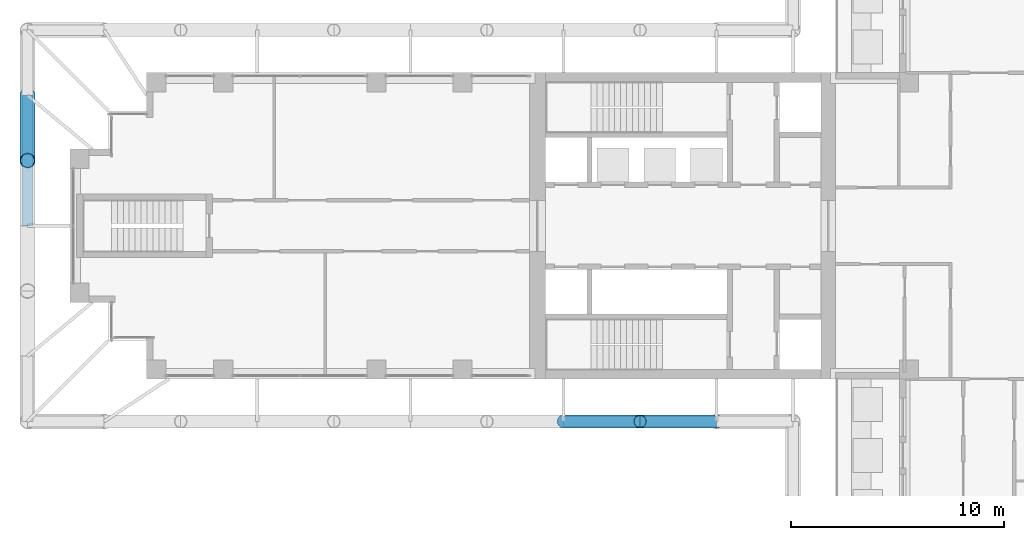
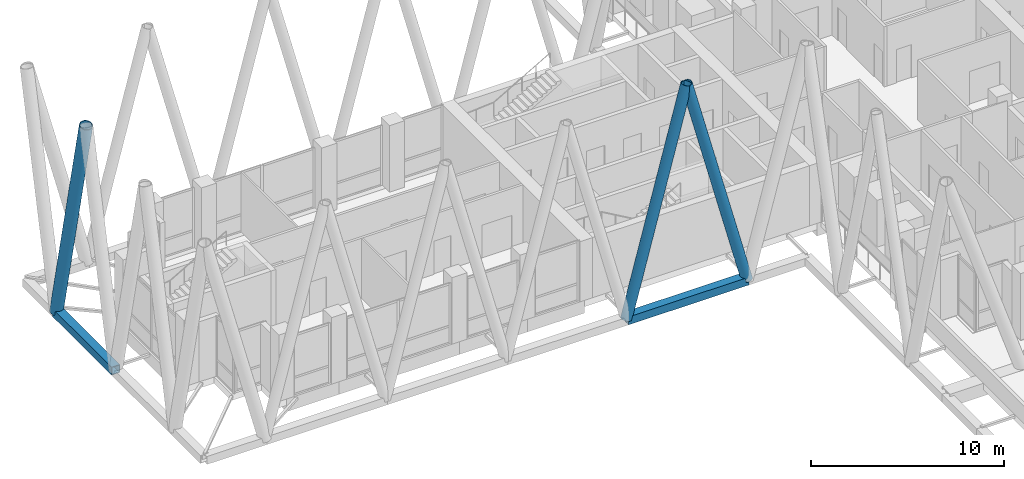
# One storey, part 4 of 22: 5 members.
"""IFC4 building model written with IfcOpenShell, lengths in metres."""

import ifcopenshell
import ifcopenshell.guid

model = None  # the IFC model being written
_history = None  # IfcOwnerHistory: only IFC2X3 demands one
_inside = {}  # id of a spatial element -> (the spatial element, [elements in it])
_under = {}  # id of a project, library or spatial element -> (it, [spatial elements below it])
_declared = {}  # id of a project -> (the project, [libraries it declares])
_typed = {}  # id of a type object -> (the type object, [elements of that type])
_made_of = {}  # id of a material, layer set ... -> (it, [elements and type objects made of it])


def new_model(schema):
    """Start an empty IFC model of exactly this schema.

    Asked for "IFC4X3", IfcOpenShell would pick the latest addendum, in which some entities
    have other attributes; the version numbers below select the first issue.
    IFC2X3 requires an IfcOwnerHistory on every rooted entity: one is made here for all.
    """
    global model, _history
    if schema == "IFC4X3":
        model = ifcopenshell.file(schema_version=(4, 3, 0, 0))
    else:
        model = ifcopenshell.file(schema=schema)
    _inside.clear()
    _under.clear()
    _declared.clear()
    _typed.clear()
    _made_of.clear()
    _history = None
    if model.schema == "IFC2X3":
        org = make("IfcOrganization", Name="unknown")
        user = make(
            "IfcPersonAndOrganization",
            ThePerson=make("IfcPerson", FamilyName="unknown"),
            TheOrganization=org,
        )
        app = make(
            "IfcApplication",
            ApplicationDeveloper=org,
            Version="unknown",
            ApplicationFullName="unknown",
            ApplicationIdentifier="unknown",
        )
        _history = make(
            "IfcOwnerHistory",
            OwningUser=user,
            OwningApplication=app,
            ChangeAction="ADDED",
            CreationDate=0,
        )
    return model


def make(cls, **values):
    """One entity of the class cls with the attributes given. An attribute that is None is left unset."""
    return model.create_entity(
        cls, **{name: value for name, value in values.items() if value is not None}
    )


def rooted(cls, **values):
    """An entity with a GlobalId (a new one), such as an element, a storey or a relation."""
    return make(cls, GlobalId=ifcopenshell.guid.new(), OwnerHistory=_history, **values)


def si_unit(unit_type, name, prefix=None):
    """IfcSIUnit, for example si_unit("LENGTHUNIT", "METRE", prefix="MILLI")."""
    return make("IfcSIUnit", UnitType=unit_type, Prefix=prefix, Name=name)


def assignment(units):
    """IfcUnitAssignment: the units of a project."""
    return None if units is None else make("IfcUnitAssignment", Units=units)


def point(xyz):
    """IfcCartesianPoint."""
    return None if xyz is None else make("IfcCartesianPoint", Coordinates=xyz)


def direction(xyz):
    """IfcDirection."""
    return None if xyz is None else make("IfcDirection", DirectionRatios=xyz)


def frame(location, z_axis=None, x_axis=None):
    """IfcAxis2Placement3D, a coordinate frame: its origin and axes. An axis left out is left unset."""
    return make(
        "IfcAxis2Placement3D",
        Location=point(location),
        Axis=direction(z_axis),
        RefDirection=direction(x_axis),
    )


def frame_2d(location, x_axis=None):
    """IfcAxis2Placement2D, a coordinate frame in the plane: its origin and x axis."""
    return make(
        "IfcAxis2Placement2D", Location=point(location), RefDirection=direction(x_axis)
    )


def origin():
    """The frame at (0, 0, 0) with its axes left unset."""
    return frame((0.0, 0.0, 0.0))


def origin_2d():
    """The frame at (0, 0) in the plane with its x axis left unset."""
    return frame_2d((0.0, 0.0))


def place(relative_to, where):
    """IfcLocalPlacement: puts the frame where relative to a parent placement (None: the world)."""
    return make(
        "IfcLocalPlacement", PlacementRelTo=relative_to, RelativePlacement=where
    )


def context(
    kind, dimensions, precision=None, world=None, true_north=None, identifier=None
):
    """IfcGeometricRepresentationContext, for example the 3D "Model" context."""
    return make(
        "IfcGeometricRepresentationContext",
        ContextIdentifier=identifier,
        ContextType=kind,
        CoordinateSpaceDimension=dimensions,
        Precision=precision,
        WorldCoordinateSystem=world,
        TrueNorth=true_north,
    )


def subcontext(parent, identifier, kind, view, scale=None):
    """IfcGeometricRepresentationSubContext, for example "Body" below "Model"."""
    return make(
        "IfcGeometricRepresentationSubContext",
        ContextIdentifier=identifier,
        ContextType=kind,
        ParentContext=parent,
        TargetScale=scale,
        TargetView=view,
    )


def project(units=None, contexts=None):
    """IfcProject with its units and contexts."""
    return rooted(
        "IfcProject",
        Name="project",
        RepresentationContexts=contexts,
        UnitsInContext=assignment(units),
    )


def spatial(cls, under=None, at=None, **own):
    """A site, building, storey or space (cls), placed at a placement, below another one or the project."""
    s = rooted(cls, ObjectPlacement=at, **own)
    if under is not None:
        _under.setdefault(under.id(), (under, []))[1].append(s)
    return s


def profile(cls, at=None, kind="AREA", **sizes):
    """A parametric profile (cls). Its sizes go by their IFC names, for example OverallWidth=200.0."""
    return make(cls, ProfileType=kind, Position=at, **sizes)


def hollow_rectangle(**sizes):
    """IfcRectangleHollowProfileDef."""
    return profile("IfcRectangleHollowProfileDef", **sizes)


def hollow_circle(**sizes):
    """IfcCircleHollowProfileDef."""
    return profile("IfcCircleHollowProfileDef", **sizes)


def extrude(swept, where, along, depth):
    """IfcExtrudedAreaSolid: the profile swept, set in the frame where, extruded along a direction by depth."""
    return make(
        "IfcExtrudedAreaSolid",
        SweptArea=swept,
        Position=where,
        ExtrudedDirection=direction(along),
        Depth=depth,
    )


def shape(context_of_items, identifier, shape_type, items):
    """IfcShapeRepresentation: the items that make up one representation, for example the "Body"."""
    return make(
        "IfcShapeRepresentation",
        ContextOfItems=context_of_items,
        RepresentationIdentifier=identifier,
        RepresentationType=shape_type,
        Items=items,
    )


def material(Name=None, Category=None):
    """IfcMaterial."""
    return make("IfcMaterial", Name=Name, Category=Category)


def material_profile(
    of_material, cross_section, Name=None, Category=None, Priority=None
):
    """IfcMaterialProfile: a cross section and its material."""
    return make(
        "IfcMaterialProfile",
        Name=Name,
        Material=of_material,
        Profile=cross_section,
        Priority=Priority,
        Category=Category,
    )


def profile_set(profiles, Name=None, composite=None):
    """IfcMaterialProfileSet."""
    return make(
        "IfcMaterialProfileSet",
        Name=Name,
        MaterialProfiles=profiles,
        CompositeProfile=composite,
    )


def made_of(thing, what):
    """Note that an element or type object is made of a material, layer set ...; save() writes the relation."""
    if what is not None:
        _made_of.setdefault(what.id(), (what, []))[1].append(thing)
    return thing


def type_object(cls, material=None, **own):
    """A type object (cls), such as IfcWallType, which elements share."""
    return made_of(rooted(cls, **own), material)


def element(
    cls,
    number,
    at=None,
    inside=None,
    cuts=None,
    type_object=None,
    material=None,
    context=None,
    identifier="Body",
    shape_type=None,
    held_by="IfcProductDefinitionShape",
    body=None,
    shapes=None,
    **own,
):
    """One element of the class cls, such as IfcWall. Its Tag is "e" and its number.

    at: its placement. inside: the storey or other place that contains it. cuts: it is an
    opening in that element (IfcRelVoidsElement). A single representation is given by context,
    identifier, shape_type and body (its items); several are given by shapes. held_by: the class
    of the entity that holds the representations. save() writes the other relations.
    """
    e = rooted(cls, Tag="e%d" % number, ObjectPlacement=at, **own)
    if body is not None:
        shapes = [shape(context, identifier, shape_type, body)]
    if shapes is not None:
        e.Representation = make(held_by, Representations=shapes)
    if inside is not None:
        _inside.setdefault(inside.id(), (inside, []))[1].append(e)
    if cuts is not None:
        rooted(
            "IfcRelVoidsElement", RelatingBuildingElement=cuts, RelatedOpeningElement=e
        )
    if type_object is not None:
        _typed.setdefault(type_object.id(), (type_object, []))[1].append(e)
    return made_of(e, material)


def aggregate(whole, parts):
    """IfcRelAggregates: a whole, such as a stair, and the parts it consists of."""
    return rooted("IfcRelAggregates", RelatingObject=whole, RelatedObjects=parts)


def save(model, path):
    """Write the relations noted so far, then the file.

    IfcRelAggregates (storeys below a building ...), IfcRelContainedInSpatialStructure (elements
    in a storey), IfcRelDefinesByType, IfcRelAssociatesMaterial and IfcRelDeclares: one each for
    every whole, place, type object, material and project.
    """
    for whole, parts in _under.values():
        aggregate(whole, parts)
    for where, things in _inside.values():
        rooted(
            "IfcRelContainedInSpatialStructure",
            RelatedElements=things,
            RelatingStructure=where,
        )
    for kind, things in _typed.values():
        rooted("IfcRelDefinesByType", RelatedObjects=things, RelatingType=kind)
    for what, things in _made_of.values():
        rooted("IfcRelAssociatesMaterial", RelatedObjects=things, RelatingMaterial=what)
    for by, libraries in _declared.values():
        rooted("IfcRelDeclares", RelatingContext=by, RelatedDefinitions=libraries)
    model.write(path)


model = new_model("IFC4")

# Units and contexts
model_context = context("Model", 3, precision=1e-05, world=origin(), true_north=direction((0.0, 1.0)))
body_context = subcontext(model_context, "Body", "Model", "MODEL_VIEW")
ifc_project = project(units=[si_unit("LENGTHUNIT", "METRE"), si_unit("AREAUNIT", "SQUARE_METRE"), si_unit("VOLUMEUNIT", "CUBIC_METRE"), si_unit("PLANEANGLEUNIT", "RADIAN"), si_unit("MASSUNIT", "GRAM", prefix="KILO")], contexts=[model_context])

# Site, building, storey
site_placement = place(None, origin())
site = spatial("IfcSite", under=ifc_project, at=site_placement, CompositionType="ELEMENT")
building_placement = place(site_placement, origin())
building = spatial("IfcBuilding", under=site, at=building_placement, Name="Fustian Cross Tower", CompositionType="ELEMENT")
storey_placement = place(building_placement, frame((0.0, 0.0, 116.10009765625)))
storey = spatial("IfcBuildingStorey", under=building, at=storey_placement, Name="L36", CompositionType="ELEMENT", Elevation=116.10009765625)

# Members
ifc_material_1 = material(Name="Steel S355", Category="steel")
ifc_material_profile_1 = material_profile(ifc_material_1, hollow_circle(Radius=0.3046875, WallThickness=0.02490234375, at=origin_2d()), Name="CHS 610x25")
ifc_profile_set_1 = profile_set([ifc_material_profile_1], Name="Steel S355")
member_type_1 = type_object("IfcMemberType", Name="DIAGRID DIAGONAL CHS 610x25", PredefinedType="BRACE", material=ifc_profile_set_1)
member_1_placement = place(storey_placement, frame((-20.0, -9.199951171875, -0.400146484375), z_axis=(0.255897330119, 0.0, 0.966703965254), x_axis=(0.0, 1.0, 0.0)))
element("IfcMember", 1, at=member_1_placement, inside=storey, type_object=member_type_1, Name="Diagrid diagonal W-S 08", PredefinedType="BRACE", context=body_context, shape_type="SweptSolid", body=[
    extrude(hollow_circle(Radius=0.3046875, WallThickness=0.02490234375, at=origin_2d()), origin(), (0.0, 0.0, 1.0), 14.068603515625),
])
member_2_placement = place(storey_placement, frame((-12.800048828125, -9.199951171875, -0.400146484375), z_axis=(-0.255881112712, 0.0, 0.966708258037), x_axis=(0.0, -1.0, 0.0)))
element("IfcMember", 2, at=member_2_placement, inside=storey, type_object=member_type_1, Name="Diagrid diagonal W-S 09", PredefinedType="BRACE", context=body_context, shape_type="SweptSolid", body=[
    extrude(hollow_circle(Radius=0.3046875, WallThickness=0.02490234375, at=origin_2d()), origin(), (0.0, 0.0, 1.0), 14.068359375),
])
ifc_material_2 = material(Name="Steel S355", Category="steel")
ifc_material_profile_2 = material_profile(ifc_material_2, hollow_circle(Radius=0.355712890625, WallThickness=0.031982421875, at=origin_2d()), Name="CHS 711x32")
ifc_profile_set_2 = profile_set([ifc_material_profile_2], Name="Steel S355")
member_type_2 = type_object("IfcMemberType", Name="DIAGRID DIAGONAL CHS 711x32", PredefinedType="BRACE", material=ifc_profile_set_2)
member_3_placement = place(storey_placement, frame((-45.199951171875, 6.13330078125, -0.400146484375), z_axis=(0.0, -0.219964705168, 0.975507831071), x_axis=(1.0, 0.0, 0.0)))
element("IfcMember", 3, at=member_3_placement, inside=storey, type_object=member_type_2, Name="Diagrid diagonal W-end 02", PredefinedType="BRACE", context=body_context, shape_type="SweptSolid", body=[
    extrude(hollow_circle(Radius=0.355712890625, WallThickness=0.031982421875, at=origin_2d()), origin(), (0.0, 0.0, 1.0), 13.941650390625),
])
ifc_material_3 = material(Name="Steel S355", Category="steel")
ifc_material_profile_3 = material_profile(ifc_material_3, hollow_rectangle(XDim=0.5, YDim=0.5, WallThickness=0.02490234375, at=origin_2d()), Name="RHS 500x500x25")
ifc_profile_set_3 = profile_set([ifc_material_profile_3], Name="Steel S355")
member_type_3 = type_object("IfcMemberType", Name="DIAGRID RING RHS 500x500x25", PredefinedType="MEMBER", material=ifc_profile_set_3)
member_4_placement = place(storey_placement, frame((-45.199951171875, 6.13330078125, -0.400146484375), z_axis=(0.0, -1.0, 0.0), x_axis=(1.0, 0.0, 0.0)))
element("IfcMember", 4, at=member_4_placement, inside=storey, type_object=member_type_3, Name="Diagrid ring L36-24 L36-25", PredefinedType="MEMBER", context=body_context, shape_type="SweptSolid", body=[
    extrude(hollow_rectangle(XDim=0.5, YDim=0.5, WallThickness=0.02490234375, at=origin_2d()), origin(), (0.0, 0.0, 1.0), 6.13330078125),
])
member_5_placement = place(storey_placement, frame((-20.0, -9.199951171875, -0.400146484375), z_axis=(1.0, 0.0, 0.0), x_axis=(0.0, 1.0, 0.0)))
element("IfcMember", 5, at=member_5_placement, inside=storey, type_object=member_type_3, Name="Diagrid ring L36-31 L36-32", PredefinedType="MEMBER", context=body_context, shape_type="SweptSolid", body=[
    extrude(hollow_rectangle(XDim=0.5, YDim=0.5, WallThickness=0.02490234375, at=origin_2d()), origin(), (0.0, 0.0, 1.0), 7.199951171875),
])

save(model, "model.ifc")
